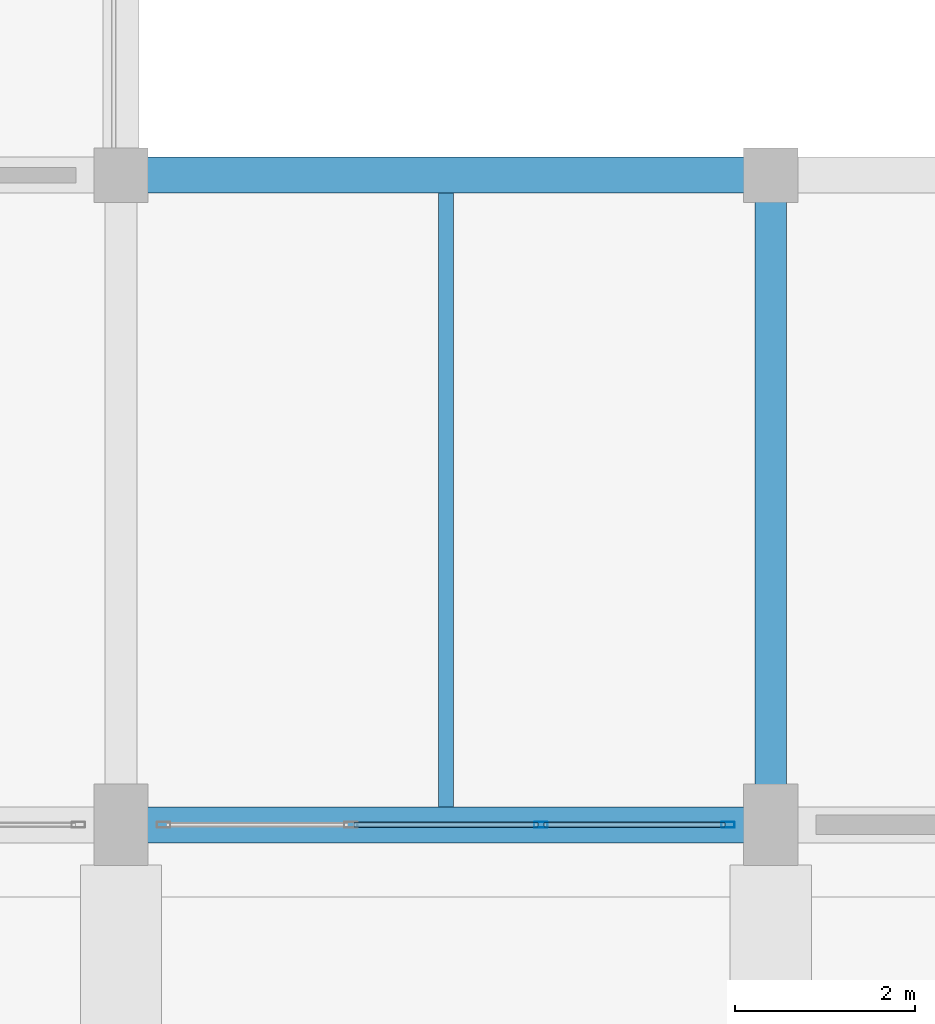
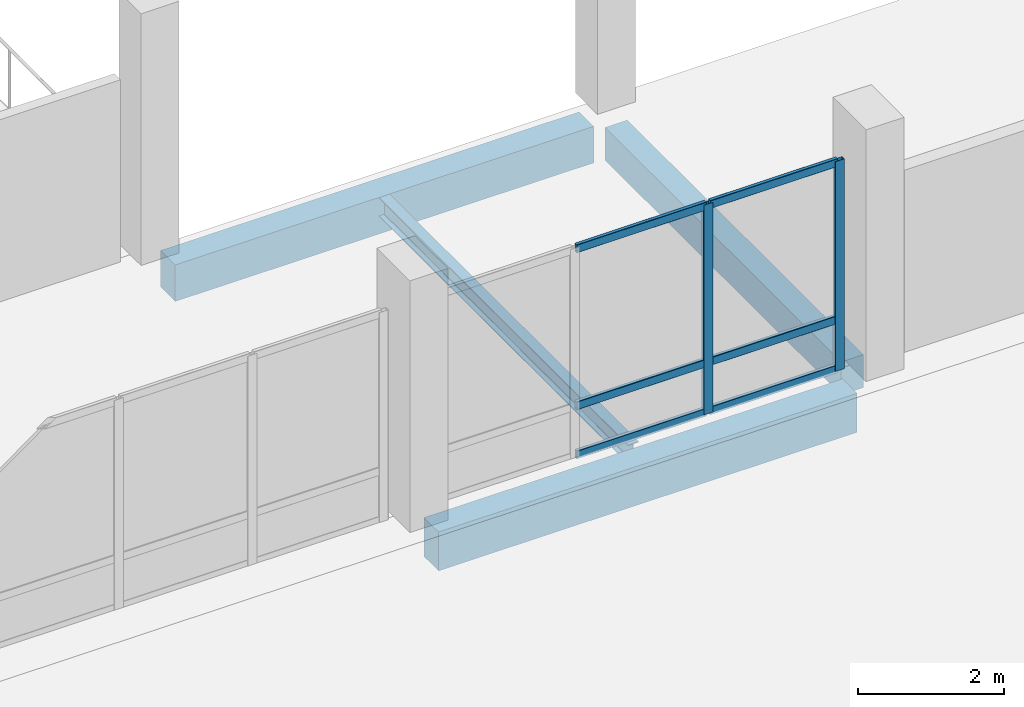
# One storey, part 89 of 158: 8 members, 4 beams, 1 element without a shape of its own.
"""IFC4 building model written with IfcOpenShell, lengths in metres."""

from ifc_helpers import new_model, si_unit, direction, frame, origin, origin_2d, place, context, subcontext, project, spatial, rectangle, hollow_rectangle, i_section, extrude, material, material_profile, profile_set, type_object, element, aggregate, save


model = new_model("IFC4")

# Units and contexts
model_context = context("Model", 3, precision=1e-05, world=origin(), true_north=direction((0.0, 1.0)))
body_context = subcontext(model_context, "Body", "Model", "MODEL_VIEW")
ifc_project = project(units=[si_unit("LENGTHUNIT", "METRE"), si_unit("AREAUNIT", "SQUARE_METRE"), si_unit("VOLUMEUNIT", "CUBIC_METRE"), si_unit("PLANEANGLEUNIT", "RADIAN"), si_unit("MASSUNIT", "GRAM", prefix="KILO")], contexts=[model_context])

# Site, building, storey
site_placement = place(None, origin())
site = spatial("IfcSite", under=ifc_project, at=site_placement, CompositionType="ELEMENT")
building_placement = place(site_placement, origin())
building = spatial("IfcBuilding", under=site, at=building_placement, Name="Lusvemor Sports Hall", CompositionType="ELEMENT")
storey_placement = place(building_placement, frame((0.0, 0.0, 10.800048828125)))
storey = spatial("IfcBuildingStorey", under=building, at=storey_placement, Name="L02", CompositionType="ELEMENT", Elevation=10.800048828125)

# Beams
ifc_material_1 = material(Name="Concrete C40/50", Category="concrete")
ifc_material_profile_1 = material_profile(ifc_material_1, rectangle(XDim=0.35009765625, YDim=0.550048828125, at=origin_2d()), Name="RC350x550")
ifc_profile_set_1 = profile_set([ifc_material_profile_1], Name="Concrete C40/50")
beam_type_1 = type_object("IfcBeamType", Name="BEAM_RC_550", PredefinedType="BEAM", material=ifc_profile_set_1)
beam_1_placement = place(storey_placement, frame((147.60009765625, 40.0458984375, -0.53515625), z_axis=(0.0, 1.0, 0.0), x_axis=(-1.0, 0.0, 0.0)))
element("IfcBeam", 1, at=beam_1_placement, inside=storey, type_object=beam_type_1, Name="Beam L02 17:E-F", PredefinedType="BEAM", context=body_context, shape_type="SweptSolid", body=[
    extrude(rectangle(XDim=0.35009765625, YDim=0.550048828125, at=origin_2d()), origin(), (0.0, 0.0, 1.0), 6.4580078125),
])
ifc_material_2 = material(Name="Concrete C40/50", Category="concrete")
ifc_material_profile_2 = material_profile(ifc_material_2, rectangle(XDim=0.39990234375, YDim=0.64990234375, at=origin_2d()), Name="RC400x650")
ifc_profile_set_2 = profile_set([ifc_material_profile_2], Name="Concrete C40/50")
beam_type_2 = type_object("IfcBeamType", Name="BEAM_RC_650", PredefinedType="BEAM", material=ifc_profile_set_2)
beam_2_placement = place(storey_placement, frame((140.696044921875, 39.60009765625, -0.675048828125), z_axis=(1.0, 0.0, 0.0), x_axis=(0.0, 1.0, 0.0)))
element("IfcBeam", 2, at=beam_2_placement, inside=storey, type_object=beam_type_2, Name="Beam L02 E:16-17", PredefinedType="BEAM", context=body_context, shape_type="SweptSolid", body=[
    extrude(rectangle(XDim=0.39990234375, YDim=0.64990234375, at=origin_2d()), origin(), (0.0, 0.0, 1.0), 6.60791015625),
])

# Curtain wall, members
ifc_material_3 = material(Name="Thermally broken bronze-anodized aluminium", Category="aluminium")
curtain_wall_type = type_object("IfcCurtainWallType", Name="CW_COURT_C", PredefinedType="NOTDEFINED", material=ifc_material_3)
curtain_wall_placement = place(storey_placement, origin())
curtain_wall = element("IfcCurtainWall", 3, at=curtain_wall_placement, inside=storey, type_object=curtain_wall_type, Name="Curtain Wall CW-V2N-L02-3", PredefinedType="NOTDEFINED")
ifc_material_4 = material(Name="Thermally broken bronze-anodized aluminium", Category="aluminium")
ifc_material_profile_3 = material_profile(ifc_material_4, hollow_rectangle(XDim=0.06494140625, YDim=0.14990234375, WallThickness=0.00390625, InnerFilletRadius=0.00390625, OuterFilletRadius=0.008056640625, at=origin_2d()), Name="CWMUL150x65x4")
ifc_profile_set_3 = profile_set([ifc_material_profile_3], Name="Thermally broken bronze-anodized aluminium")
member_type_1 = type_object("IfcMemberType", Name="CW_MUL_B", PredefinedType="MULLION", material=ifc_profile_set_3)
member_1_placement = place(storey_placement, frame((145.05322265625, 39.60009765625, 0.0), z_axis=(0.0, 0.0, 1.0), x_axis=(0.0, 1.0, 0.0)))
member_1 = element("IfcMember", 4, at=member_1_placement, type_object=member_type_1, Name="CW03 mullion 3", PredefinedType="MULLION", context=body_context, shape_type="SweptSolid", body=[
    extrude(hollow_rectangle(XDim=0.06494140625, YDim=0.14990234375, WallThickness=0.00390625, InnerFilletRadius=0.00390625, OuterFilletRadius=0.008056640625, at=origin_2d()), origin(), (0.0, 0.0, 1.0), 3.5),
])
member_2_placement = place(storey_placement, frame((147.12744140625, 39.60009765625, 0.0), z_axis=(0.0, 0.0, 1.0), x_axis=(0.0, 1.0, 0.0)))
member_2 = element("IfcMember", 5, at=member_2_placement, type_object=member_type_1, Name="CW03 mullion 4", PredefinedType="MULLION", context=body_context, shape_type="SweptSolid", body=[
    extrude(hollow_rectangle(XDim=0.06494140625, YDim=0.14990234375, WallThickness=0.00390625, InnerFilletRadius=0.00390625, OuterFilletRadius=0.008056640625, at=origin_2d()), origin(), (0.0, 0.0, 1.0), 3.5),
])
ifc_material_5 = material(Name="Thermally broken bronze-anodized aluminium", Category="aluminium")
ifc_material_profile_4 = material_profile(ifc_material_5, hollow_rectangle(XDim=0.06005859375, YDim=0.135009765625, WallThickness=0.00390625, InnerFilletRadius=0.00390625, OuterFilletRadius=0.008056640625, at=origin_2d()), Name="CWTRN135x60x4")
ifc_profile_set_4 = profile_set([ifc_material_profile_4], Name="Thermally broken bronze-anodized aluminium")
member_type_2 = type_object("IfcMemberType", Name="CW_TRN_B", PredefinedType="USERDEFINED", material=ifc_profile_set_4)
member_3_placement = place(storey_placement, frame((142.979248046875, 39.60009765625, 0.030029296875), z_axis=(1.0, 0.0, 0.0), x_axis=(0.0, 1.0, 0.0)))
member_3 = element("IfcMember", 6, at=member_3_placement, type_object=member_type_2, Name="CW03 transom 2.1", ObjectType="TRANSOM", PredefinedType="USERDEFINED", context=body_context, shape_type="SweptSolid", body=[
    extrude(hollow_rectangle(XDim=0.06005859375, YDim=0.135009765625, WallThickness=0.00390625, InnerFilletRadius=0.00390625, OuterFilletRadius=0.008056640625, at=origin_2d()), origin(), (0.0, 0.0, 1.0), 2.04150390625),
])
member_4_placement = place(storey_placement, frame((142.979248046875, 39.60009765625, 0.849853515625), z_axis=(1.0, 0.0, 0.0), x_axis=(0.0, 1.0, 0.0)))
member_4 = element("IfcMember", 7, at=member_4_placement, type_object=member_type_2, Name="CW03 transom 2.2", ObjectType="TRANSOM", PredefinedType="USERDEFINED", context=body_context, shape_type="SweptSolid", body=[
    extrude(hollow_rectangle(XDim=0.06005859375, YDim=0.135009765625, WallThickness=0.00390625, InnerFilletRadius=0.00390625, OuterFilletRadius=0.008056640625, at=origin_2d()), origin(), (0.0, 0.0, 1.0), 2.04150390625),
])
member_5_placement = place(storey_placement, frame((142.979248046875, 39.60009765625, 3.469970703125), z_axis=(1.0, 0.0, 0.0), x_axis=(0.0, 1.0, 0.0)))
member_5 = element("IfcMember", 8, at=member_5_placement, type_object=member_type_2, Name="CW03 transom 2.3", ObjectType="TRANSOM", PredefinedType="USERDEFINED", context=body_context, shape_type="SweptSolid", body=[
    extrude(hollow_rectangle(XDim=0.06005859375, YDim=0.135009765625, WallThickness=0.00390625, InnerFilletRadius=0.00390625, OuterFilletRadius=0.008056640625, at=origin_2d()), origin(), (0.0, 0.0, 1.0), 2.04150390625),
])
member_6_placement = place(storey_placement, frame((145.0859375, 39.60009765625, 0.030029296875), z_axis=(1.0, 0.0, 0.0), x_axis=(0.0, 1.0, 0.0)))
member_6 = element("IfcMember", 9, at=member_6_placement, type_object=member_type_2, Name="CW03 transom 3.1", ObjectType="TRANSOM", PredefinedType="USERDEFINED", context=body_context, shape_type="SweptSolid", body=[
    extrude(hollow_rectangle(XDim=0.06005859375, YDim=0.135009765625, WallThickness=0.00390625, InnerFilletRadius=0.00390625, OuterFilletRadius=0.008056640625, at=origin_2d()), origin(), (0.0, 0.0, 1.0), 2.009033203125),
])
member_7_placement = place(storey_placement, frame((145.0859375, 39.60009765625, 0.849853515625), z_axis=(1.0, 0.0, 0.0), x_axis=(0.0, 1.0, 0.0)))
member_7 = element("IfcMember", 10, at=member_7_placement, type_object=member_type_2, Name="CW03 transom 3.2", ObjectType="TRANSOM", PredefinedType="USERDEFINED", context=body_context, shape_type="SweptSolid", body=[
    extrude(hollow_rectangle(XDim=0.06005859375, YDim=0.135009765625, WallThickness=0.00390625, InnerFilletRadius=0.00390625, OuterFilletRadius=0.008056640625, at=origin_2d()), origin(), (0.0, 0.0, 1.0), 2.009033203125),
])
member_8_placement = place(storey_placement, frame((145.0859375, 39.60009765625, 3.469970703125), z_axis=(1.0, 0.0, 0.0), x_axis=(0.0, 1.0, 0.0)))
member_8 = element("IfcMember", 11, at=member_8_placement, type_object=member_type_2, Name="CW03 transom 3.3", ObjectType="TRANSOM", PredefinedType="USERDEFINED", context=body_context, shape_type="SweptSolid", body=[
    extrude(hollow_rectangle(XDim=0.06005859375, YDim=0.135009765625, WallThickness=0.00390625, InnerFilletRadius=0.00390625, OuterFilletRadius=0.008056640625, at=origin_2d()), origin(), (0.0, 0.0, 1.0), 2.009033203125),
])
aggregate(curtain_wall, [member_1, member_2, member_3, member_4, member_5, member_6, member_7, member_8])

# Beams
ifc_material_6 = material(Name="Steel S355", Category="steel")
ifc_material_profile_5 = material_profile(ifc_material_6, i_section(OverallWidth=0.1669921875, OverallDepth=0.31689453125, WebThickness=0.007568359375, FlangeThickness=0.01318359375, FilletRadius=0.014892578125, at=origin_2d()), Name="W310x52.0")
ifc_profile_set_5 = profile_set([ifc_material_profile_5], Name="Steel S355")
beam_type_3 = type_object("IfcBeamType", Name="JOIST_ST_310M", PredefinedType="JOIST", material=ifc_profile_set_5)
beam_3_placement = place(storey_placement, frame((144.0, 39.7958984375, -0.422607421875), z_axis=(0.0, 1.0, 0.0), x_axis=(-1.0, 0.0, 0.0)))
element("IfcBeam", 12, at=beam_3_placement, inside=storey, type_object=beam_type_3, Name="Secondary Joist L02 16-17/E-F #1", PredefinedType="JOIST", context=body_context, shape_type="SweptSolid", body=[
    extrude(i_section(OverallWidth=0.1669921875, OverallDepth=0.31689453125, WebThickness=0.007568359375, FlangeThickness=0.01318359375, FilletRadius=0.014892578125, at=origin_2d()), origin(), (0.0, 0.0, 1.0), 6.80810546875),
])
ifc_material_7 = material(Name="Concrete C40/50", Category="concrete")
ifc_material_profile_6 = material_profile(ifc_material_7, rectangle(XDim=0.39990234375, YDim=0.610107421875, at=origin_2d()), Name="RC400x610")
ifc_profile_set_6 = profile_set([ifc_material_profile_6], Name="Concrete C40/50")
beam_type_4 = type_object("IfcBeamType", Name="SPAND_EXT_650", PredefinedType="SPANDREL", material=ifc_profile_set_6)
beam_4_placement = place(storey_placement, frame((140.696044921875, 46.800048828125, -0.56494140625), z_axis=(1.0, 0.0, 0.0), x_axis=(0.0, 1.0, 0.0)))
element("IfcBeam", 13, at=beam_4_placement, inside=storey, type_object=beam_type_4, Name="Beam L02 F:16-17", PredefinedType="SPANDREL", context=body_context, shape_type="SweptSolid", body=[
    extrude(rectangle(XDim=0.39990234375, YDim=0.610107421875, at=origin_2d()), origin(), (0.0, 0.0, 1.0), 6.60791015625),
])

save(model, "model.ifc")
